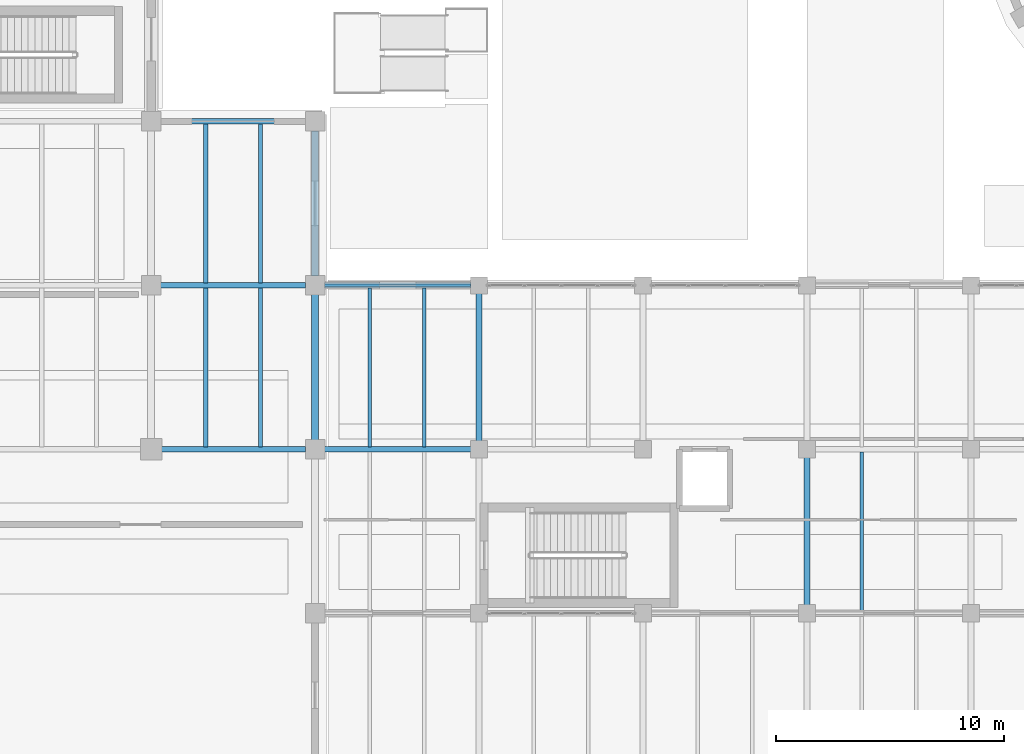
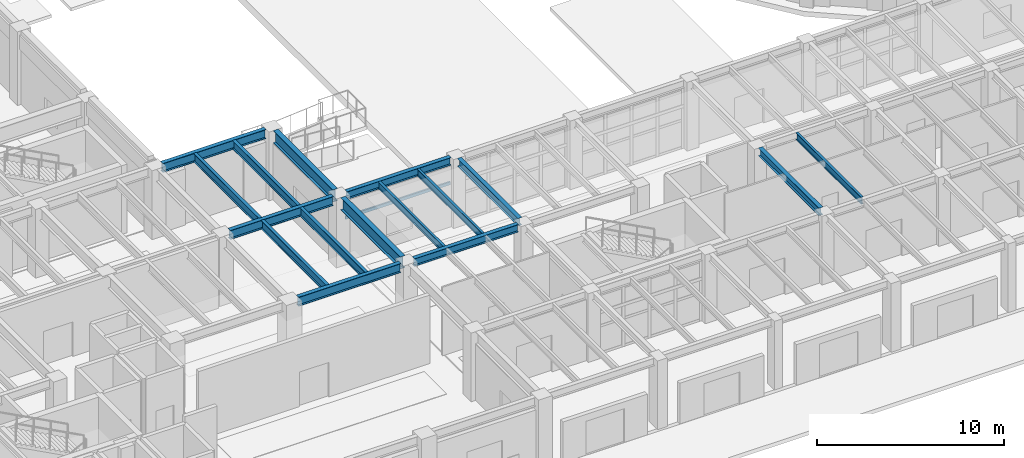
# One storey, part 10 of 39: 17 beams.
"""IFC4 building model written with IfcOpenShell, lengths in metres."""

from ifc_helpers import new_model, si_unit, direction, frame, origin, origin_2d, place, context, subcontext, project, spatial, hollow_rectangle, i_section, extrude, material, material_profile, profile_set, type_object, element, save


model = new_model("IFC4")

# Units and contexts
model_context = context("Model", 3, precision=1e-05, world=origin(), true_north=direction((0.0, 1.0)))
body_context = subcontext(model_context, "Body", "Model", "MODEL_VIEW")
ifc_project = project(units=[si_unit("LENGTHUNIT", "METRE"), si_unit("AREAUNIT", "SQUARE_METRE"), si_unit("VOLUMEUNIT", "CUBIC_METRE"), si_unit("PLANEANGLEUNIT", "RADIAN"), si_unit("MASSUNIT", "GRAM", prefix="KILO")], contexts=[model_context])

# Site, building, storey
site_placement = place(None, origin())
site = spatial("IfcSite", under=ifc_project, at=site_placement, CompositionType="ELEMENT")
building_placement = place(site_placement, origin())
building = spatial("IfcBuilding", under=site, at=building_placement, Name="Kandorven Conservatory and Botanical Research Centre", CompositionType="ELEMENT")
storey_placement = place(building_placement, origin())
storey = spatial("IfcBuildingStorey", under=building, at=storey_placement, Name="L00", CompositionType="ELEMENT", Elevation=0.0)

# Beams
ifc_material_1 = material(Name="Steel S355 (IS 2062 E350)", Category="steel")
ifc_material_profile_1 = material_profile(ifc_material_1, i_section(OverallWidth=0.25, OverallDepth=0.60009765625, WebThickness=0.01171875, FlangeThickness=0.023681640625, at=origin_2d()))
ifc_profile_set_1 = profile_set([ifc_material_profile_1], Name="Steel S355 (IS 2062 E350)")
beam_type_1 = type_object("IfcBeamType", Name="Beam_FG-01", PredefinedType="USERDEFINED", material=ifc_profile_set_1)
beam_1_placement = place(storey_placement, frame((35.264892578125, 20.39990234375, 4.179931640625), z_axis=(1.0, 0.0, 0.0), x_axis=(0.0, 1.0, 0.0)))
element("IfcBeam", 1, at=beam_1_placement, inside=storey, type_object=beam_type_1, Name="Primary girder FG-01 TWR L00", ObjectType="GIRDER", PredefinedType="USERDEFINED", context=body_context, shape_type="SweptSolid", body=[
    extrude(i_section(OverallWidth=0.25, OverallDepth=0.60009765625, WebThickness=0.01171875, FlangeThickness=0.023681640625, at=origin_2d()), origin(), (0.0, 0.0, 1.0), 6.320068359375),
])
for number, where, z_axis, x_axis, name in (
    (2, (35.215087890625, 27.60009765625, 4.179931640625), (1.0, 0.0, 0.0), (0.0, 1.0, 0.0), "Primary girder FG-01 TWR L00"),
    (3, (35.215087890625, 34.800048828125, 4.179931640625), (1.0, 0.0, 0.0), (0.0, 1.0, 0.0), "Primary girder FG-01 TWR L00"),
):
    element("IfcBeam", number, at=place(storey_placement, frame(where, z_axis=z_axis, x_axis=x_axis)), inside=storey, type_object=beam_type_1, Name=name, ObjectType="GIRDER", PredefinedType="USERDEFINED", context=body_context, shape_type="SweptSolid", body=[
        extrude(i_section(OverallWidth=0.25, OverallDepth=0.60009765625, WebThickness=0.01171875, FlangeThickness=0.023681640625, at=origin_2d()), origin(), (0.0, 0.0, 1.0), 6.369873046875),
    ])
ifc_material_2 = material(Name="Steel S355 (IS 2062 E350)", Category="steel")
ifc_material_profile_2 = material_profile(ifc_material_2, i_section(OverallWidth=0.25, OverallDepth=0.5, WebThickness=0.010009765625, FlangeThickness=0.0146484375, at=origin_2d()))
ifc_profile_set_2 = profile_set([ifc_material_profile_2], Name="Steel S355 (IS 2062 E350)")
beam_type_2 = type_object("IfcBeamType", Name="Beam_FG-02", PredefinedType="USERDEFINED", material=ifc_profile_set_2)
for number, where, z_axis, x_axis, name in (
    (4, (42.4150390625, 20.39990234375, 4.22998046875), (1.0, 0.0, 0.0), (0.0, 1.0, 0.0), "Primary girder FG-02 VIS L00"),
    (5, (42.4150390625, 27.60009765625, 4.22998046875), (1.0, 0.0, 0.0), (0.0, 1.0, 0.0), "Primary girder FG-02 VIS L00"),
):
    element("IfcBeam", number, at=place(storey_placement, frame(where, z_axis=z_axis, x_axis=x_axis)), inside=storey, type_object=beam_type_2, Name=name, ObjectType="GIRDER", PredefinedType="USERDEFINED", context=body_context, shape_type="SweptSolid", body=[
        extrude(i_section(OverallWidth=0.25, OverallDepth=0.5, WebThickness=0.010009765625, FlangeThickness=0.0146484375, at=origin_2d()), origin(), (0.0, 0.0, 1.0), 6.419921875),
    ])
beam_2_placement = place(storey_placement, frame((49.199951171875, 20.764892578125, 4.22998046875), z_axis=(0.0, 1.0, 0.0), x_axis=(-1.0, 0.0, 0.0)))
element("IfcBeam", 6, at=beam_2_placement, inside=storey, type_object=beam_type_2, Name="Primary girder FG-02 VIS L00", ObjectType="GIRDER", PredefinedType="USERDEFINED", context=body_context, shape_type="SweptSolid", body=[
    extrude(i_section(OverallWidth=0.25, OverallDepth=0.5, WebThickness=0.010009765625, FlangeThickness=0.0146484375, at=origin_2d()), origin(), (0.0, 0.0, 1.0), 6.47021484375),
])
beam_3_placement = place(storey_placement, frame((63.60009765625, 13.56494140625, 4.22998046875), z_axis=(0.0, 1.0, 0.0), x_axis=(-1.0, 0.0, 0.0)))
element("IfcBeam", 7, at=beam_3_placement, inside=storey, type_object=beam_type_2, Name="Primary girder FG-02 VIS L00", ObjectType="GIRDER", PredefinedType="USERDEFINED", context=body_context, shape_type="SweptSolid", body=[
    extrude(i_section(OverallWidth=0.25, OverallDepth=0.5, WebThickness=0.010009765625, FlangeThickness=0.0146484375, at=origin_2d()), origin(), (0.0, 0.0, 1.0), 6.469970703125),
])
ifc_material_3 = material(Name="Steel S355 (IS 2062 E350)", Category="steel")
ifc_material_profile_3 = material_profile(ifc_material_3, hollow_rectangle(XDim=0.10009765625, YDim=0.199951171875, WallThickness=0.008056640625, at=origin_2d()))
ifc_profile_set_3 = profile_set([ifc_material_profile_3], Name="Steel S355 (IS 2062 E350)")
beam_type_3 = type_object("IfcBeamType", Name="Beam_LN-01", PredefinedType="LINTEL", material=ifc_profile_set_3)
beam_4_placement = place(storey_placement, frame((42.375, 27.60009765625, 2.75), z_axis=(1.0, 0.0, 0.0), x_axis=(0.0, 1.0, 0.0)))
element("IfcBeam", 8, at=beam_4_placement, inside=storey, type_object=beam_type_3, Name="Column-to-column opening transom lintel LN-01 L00-1-2", PredefinedType="LINTEL", context=body_context, shape_type="SweptSolid", body=[
    extrude(hollow_rectangle(XDim=0.10009765625, YDim=0.199951171875, WallThickness=0.008056640625, at=origin_2d()), origin(), (0.0, 0.0, 1.0), 6.449951171875),
])
ifc_material_4 = material(Name="Steel S355 (IS 2062 E350)", Category="steel")
ifc_material_profile_4 = material_profile(ifc_material_4, i_section(OverallWidth=0.300048828125, OverallDepth=0.800048828125, WebThickness=0.01611328125, FlangeThickness=0.028076171875, at=origin_2d()))
ifc_profile_set_4 = profile_set([ifc_material_profile_4], Name="Steel S355 (IS 2062 E350)")
beam_type_4 = type_object("IfcBeamType", Name="Beam_PG-02", PredefinedType="USERDEFINED", material=ifc_profile_set_4)
for number, where, z_axis, x_axis, name in (
    (9, (42.0, 20.81494140625, 4.080078125), (0.0, 1.0, 0.0), (-1.0, 0.0, 0.0), "Primary girder PG-02 TWR L00"),
    (10, (42.0, 28.014892578125, 4.080078125), (0.0, 1.0, 0.0), (-1.0, 0.0, 0.0), "Primary girder PG-02 TWR L00"),
):
    element("IfcBeam", number, at=place(storey_placement, frame(where, z_axis=z_axis, x_axis=x_axis)), inside=storey, type_object=beam_type_4, Name=name, ObjectType="GIRDER", PredefinedType="USERDEFINED", context=body_context, shape_type="SweptSolid", body=[
        extrude(i_section(OverallWidth=0.300048828125, OverallDepth=0.800048828125, WebThickness=0.01611328125, FlangeThickness=0.028076171875, at=origin_2d()), origin(), (0.0, 0.0, 1.0), 6.3701171875),
    ])
ifc_material_5 = material(Name="Steel S355 (IS 2062 E350)", Category="steel")
ifc_material_profile_5 = material_profile(ifc_material_5, i_section(OverallWidth=0.18994140625, OverallDepth=0.550048828125, WebThickness=0.01123046875, FlangeThickness=0.019287109375, at=origin_2d()))
ifc_profile_set_5 = profile_set([ifc_material_profile_5], Name="Steel S355 (IS 2062 E350)")
beam_type_5 = type_object("IfcBeamType", Name="Beam_SB-02", PredefinedType="BEAM", material=ifc_profile_set_5)
for number, where, z_axis, x_axis, name in (
    (11, (37.199951171875, 20.510009765625, 4.205078125), (0.0, 1.0, 0.0), (-1.0, 0.0, 0.0), "Composite secondary beam SB-02 TWR L00"),
    (12, (39.60009765625, 20.510009765625, 4.205078125), (0.0, 1.0, 0.0), (-1.0, 0.0, 0.0), "Composite secondary beam SB-02 TWR L00"),
    (13, (37.199951171875, 27.7099609375, 4.205078125), (0.0, 1.0, 0.0), (-1.0, 0.0, 0.0), "Composite secondary beam SB-02 TWR L00"),
    (14, (39.60009765625, 27.7099609375, 4.205078125), (0.0, 1.0, 0.0), (-1.0, 0.0, 0.0), "Composite secondary beam SB-02 TWR L00"),
):
    element("IfcBeam", number, at=place(storey_placement, frame(where, z_axis=z_axis, x_axis=x_axis)), inside=storey, type_object=beam_type_5, Name=name, PredefinedType="BEAM", context=body_context, shape_type="SweptSolid", body=[
        extrude(i_section(OverallWidth=0.18994140625, OverallDepth=0.550048828125, WebThickness=0.01123046875, FlangeThickness=0.019287109375, at=origin_2d()), origin(), (0.0, 0.0, 1.0), 6.97998046875),
    ])
ifc_material_6 = material(Name="Steel S355 (IS 2062 E350)", Category="steel")
ifc_material_profile_6 = material_profile(ifc_material_6, i_section(OverallWidth=0.14990234375, OverallDepth=0.449951171875, WebThickness=0.009521484375, FlangeThickness=0.017333984375, at=origin_2d()))
ifc_profile_set_6 = profile_set([ifc_material_profile_6], Name="Steel S355 (IS 2062 E350)")
beam_type_6 = type_object("IfcBeamType", Name="Beam_SB-04", PredefinedType="BEAM", material=ifc_profile_set_6)
for number, where, z_axis, x_axis, name in (
    (15, (44.39990234375, 20.510009765625, 4.2548828125), (0.0, 1.0, 0.0), (-1.0, 0.0, 0.0), "Composite secondary beam SB-04 VIS L00"),
    (16, (46.800048828125, 20.510009765625, 4.2548828125), (0.0, 1.0, 0.0), (-1.0, 0.0, 0.0), "Composite secondary beam SB-04 VIS L00"),
    (17, (66.0, 13.31005859375, 4.2548828125), (0.0, 1.0, 0.0), (-1.0, 0.0, 0.0), "Composite secondary beam SB-04 VIS L00"),
):
    element("IfcBeam", number, at=place(storey_placement, frame(where, z_axis=z_axis, x_axis=x_axis)), inside=storey, type_object=beam_type_6, Name=name, PredefinedType="BEAM", context=body_context, shape_type="SweptSolid", body=[
        extrude(i_section(OverallWidth=0.14990234375, OverallDepth=0.449951171875, WebThickness=0.009521484375, FlangeThickness=0.017333984375, at=origin_2d()), origin(), (0.0, 0.0, 1.0), 6.97998046875),
    ])

save(model, "model.ifc")
